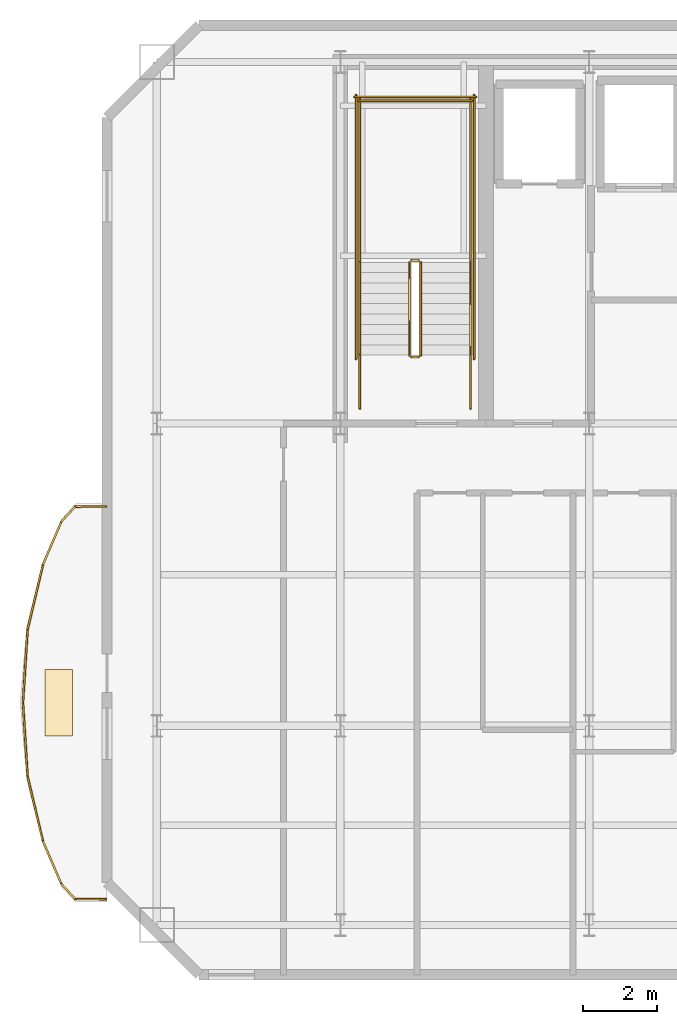
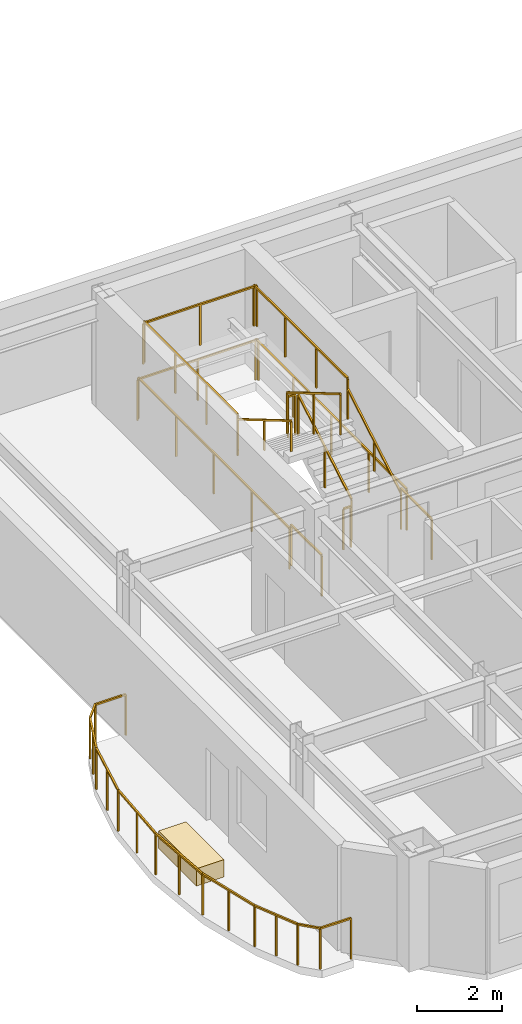
# One storey, part 5 of 6: 24 railings, 1 covering.
"""IFC4 building model written with IfcOpenShell, lengths in metres."""

import ifcopenshell
import ifcopenshell.guid

model = None  # the IFC model being written
_history = None  # IfcOwnerHistory: only IFC2X3 demands one
_inside = {}  # id of a spatial element -> (the spatial element, [elements in it])
_under = {}  # id of a project, library or spatial element -> (it, [spatial elements below it])
_declared = {}  # id of a project -> (the project, [libraries it declares])
_typed = {}  # id of a type object -> (the type object, [elements of that type])
_made_of = {}  # id of a material, layer set ... -> (it, [elements and type objects made of it])


def new_model(schema):
    """Start an empty IFC model of exactly this schema.

    Asked for "IFC4X3", IfcOpenShell would pick the latest addendum, in which some entities
    have other attributes; the version numbers below select the first issue.
    IFC2X3 requires an IfcOwnerHistory on every rooted entity: one is made here for all.
    """
    global model, _history
    if schema == "IFC4X3":
        model = ifcopenshell.file(schema_version=(4, 3, 0, 0))
    else:
        model = ifcopenshell.file(schema=schema)
    _inside.clear()
    _under.clear()
    _declared.clear()
    _typed.clear()
    _made_of.clear()
    _history = None
    if model.schema == "IFC2X3":
        org = make("IfcOrganization", Name="unknown")
        user = make(
            "IfcPersonAndOrganization",
            ThePerson=make("IfcPerson", FamilyName="unknown"),
            TheOrganization=org,
        )
        app = make(
            "IfcApplication",
            ApplicationDeveloper=org,
            Version="unknown",
            ApplicationFullName="unknown",
            ApplicationIdentifier="unknown",
        )
        _history = make(
            "IfcOwnerHistory",
            OwningUser=user,
            OwningApplication=app,
            ChangeAction="ADDED",
            CreationDate=0,
        )
    return model


def make(cls, **values):
    """One entity of the class cls with the attributes given. An attribute that is None is left unset."""
    return model.create_entity(
        cls, **{name: value for name, value in values.items() if value is not None}
    )


def rooted(cls, **values):
    """An entity with a GlobalId (a new one), such as an element, a storey or a relation."""
    return make(cls, GlobalId=ifcopenshell.guid.new(), OwnerHistory=_history, **values)


def si_unit(unit_type, name, prefix=None):
    """IfcSIUnit, for example si_unit("LENGTHUNIT", "METRE", prefix="MILLI")."""
    return make("IfcSIUnit", UnitType=unit_type, Prefix=prefix, Name=name)


def assignment(units):
    """IfcUnitAssignment: the units of a project."""
    return None if units is None else make("IfcUnitAssignment", Units=units)


def point(xyz):
    """IfcCartesianPoint."""
    return None if xyz is None else make("IfcCartesianPoint", Coordinates=xyz)


def direction(xyz):
    """IfcDirection."""
    return None if xyz is None else make("IfcDirection", DirectionRatios=xyz)


def frame(location, z_axis=None, x_axis=None):
    """IfcAxis2Placement3D, a coordinate frame: its origin and axes. An axis left out is left unset."""
    return make(
        "IfcAxis2Placement3D",
        Location=point(location),
        Axis=direction(z_axis),
        RefDirection=direction(x_axis),
    )


def frame_2d(location, x_axis=None):
    """IfcAxis2Placement2D, a coordinate frame in the plane: its origin and x axis."""
    return make(
        "IfcAxis2Placement2D", Location=point(location), RefDirection=direction(x_axis)
    )


def origin():
    """The frame at (0, 0, 0) with its axes left unset."""
    return frame((0.0, 0.0, 0.0))


def origin_2d():
    """The frame at (0, 0) in the plane with its x axis left unset."""
    return frame_2d((0.0, 0.0))


def place(relative_to, where):
    """IfcLocalPlacement: puts the frame where relative to a parent placement (None: the world)."""
    return make(
        "IfcLocalPlacement", PlacementRelTo=relative_to, RelativePlacement=where
    )


def context(
    kind, dimensions, precision=None, world=None, true_north=None, identifier=None
):
    """IfcGeometricRepresentationContext, for example the 3D "Model" context."""
    return make(
        "IfcGeometricRepresentationContext",
        ContextIdentifier=identifier,
        ContextType=kind,
        CoordinateSpaceDimension=dimensions,
        Precision=precision,
        WorldCoordinateSystem=world,
        TrueNorth=true_north,
    )


def subcontext(parent, identifier, kind, view, scale=None):
    """IfcGeometricRepresentationSubContext, for example "Body" below "Model"."""
    return make(
        "IfcGeometricRepresentationSubContext",
        ContextIdentifier=identifier,
        ContextType=kind,
        ParentContext=parent,
        TargetScale=scale,
        TargetView=view,
    )


def project(units=None, contexts=None):
    """IfcProject with its units and contexts."""
    return rooted(
        "IfcProject",
        Name="project",
        RepresentationContexts=contexts,
        UnitsInContext=assignment(units),
    )


def spatial(cls, under=None, at=None, **own):
    """A site, building, storey or space (cls), placed at a placement, below another one or the project."""
    s = rooted(cls, ObjectPlacement=at, **own)
    if under is not None:
        _under.setdefault(under.id(), (under, []))[1].append(s)
    return s


def profile(cls, at=None, kind="AREA", **sizes):
    """A parametric profile (cls). Its sizes go by their IFC names, for example OverallWidth=200.0."""
    return make(cls, ProfileType=kind, Position=at, **sizes)


def rectangle(**sizes):
    """IfcRectangleProfileDef."""
    return profile("IfcRectangleProfileDef", **sizes)


def extrude(swept, where, along, depth):
    """IfcExtrudedAreaSolid: the profile swept, set in the frame where, extruded along a direction by depth."""
    return make(
        "IfcExtrudedAreaSolid",
        SweptArea=swept,
        Position=where,
        ExtrudedDirection=direction(along),
        Depth=depth,
    )


def shape(context_of_items, identifier, shape_type, items):
    """IfcShapeRepresentation: the items that make up one representation, for example the "Body"."""
    return make(
        "IfcShapeRepresentation",
        ContextOfItems=context_of_items,
        RepresentationIdentifier=identifier,
        RepresentationType=shape_type,
        Items=items,
    )


def material(Name=None, Category=None):
    """IfcMaterial."""
    return make("IfcMaterial", Name=Name, Category=Category)


def layer(
    of_material, thickness, ventilated=None, Name=None, Category=None, Priority=None
):
    """IfcMaterialLayer: one layer of a wall or slab, of a material (None: an air gap)."""
    return make(
        "IfcMaterialLayer",
        Material=of_material,
        LayerThickness=thickness,
        IsVentilated=ventilated,
        Name=Name,
        Category=Category,
        Priority=Priority,
    )


def layer_set(layers, Name=None):
    """IfcMaterialLayerSet."""
    return make("IfcMaterialLayerSet", MaterialLayers=layers, LayerSetName=Name)


def made_of(thing, what):
    """Note that an element or type object is made of a material, layer set ...; save() writes the relation."""
    if what is not None:
        _made_of.setdefault(what.id(), (what, []))[1].append(thing)
    return thing


def type_object(cls, material=None, **own):
    """A type object (cls), such as IfcWallType, which elements share."""
    return made_of(rooted(cls, **own), material)


def element(
    cls,
    number,
    at=None,
    inside=None,
    cuts=None,
    type_object=None,
    material=None,
    context=None,
    identifier="Body",
    shape_type=None,
    held_by="IfcProductDefinitionShape",
    body=None,
    shapes=None,
    **own,
):
    """One element of the class cls, such as IfcWall. Its Tag is "e" and its number.

    at: its placement. inside: the storey or other place that contains it. cuts: it is an
    opening in that element (IfcRelVoidsElement). A single representation is given by context,
    identifier, shape_type and body (its items); several are given by shapes. held_by: the class
    of the entity that holds the representations. save() writes the other relations.
    """
    e = rooted(cls, Tag="e%d" % number, ObjectPlacement=at, **own)
    if body is not None:
        shapes = [shape(context, identifier, shape_type, body)]
    if shapes is not None:
        e.Representation = make(held_by, Representations=shapes)
    if inside is not None:
        _inside.setdefault(inside.id(), (inside, []))[1].append(e)
    if cuts is not None:
        rooted(
            "IfcRelVoidsElement", RelatingBuildingElement=cuts, RelatedOpeningElement=e
        )
    if type_object is not None:
        _typed.setdefault(type_object.id(), (type_object, []))[1].append(e)
    return made_of(e, material)


def aggregate(whole, parts):
    """IfcRelAggregates: a whole, such as a stair, and the parts it consists of."""
    return rooted("IfcRelAggregates", RelatingObject=whole, RelatedObjects=parts)


def save(model, path):
    """Write the relations noted so far, then the file.

    IfcRelAggregates (storeys below a building ...), IfcRelContainedInSpatialStructure (elements
    in a storey), IfcRelDefinesByType, IfcRelAssociatesMaterial and IfcRelDeclares: one each for
    every whole, place, type object, material and project.
    """
    for whole, parts in _under.values():
        aggregate(whole, parts)
    for where, things in _inside.values():
        rooted(
            "IfcRelContainedInSpatialStructure",
            RelatedElements=things,
            RelatingStructure=where,
        )
    for kind, things in _typed.values():
        rooted("IfcRelDefinesByType", RelatedObjects=things, RelatingType=kind)
    for what, things in _made_of.values():
        rooted("IfcRelAssociatesMaterial", RelatedObjects=things, RelatingMaterial=what)
    for by, libraries in _declared.values():
        rooted("IfcRelDeclares", RelatingContext=by, RelatedDefinitions=libraries)
    model.write(path)


model = new_model("IFC4")

# Units and contexts
model_context = context("Model", 3, precision=1e-05, world=origin(), true_north=direction((0.0, 1.0)))
body_context = subcontext(model_context, "Body", "Model", "MODEL_VIEW")
ifc_project = project(units=[si_unit("LENGTHUNIT", "METRE"), si_unit("AREAUNIT", "SQUARE_METRE"), si_unit("VOLUMEUNIT", "CUBIC_METRE"), si_unit("PLANEANGLEUNIT", "RADIAN"), si_unit("MASSUNIT", "GRAM", prefix="KILO")], contexts=[model_context])

# Site, building, storey
site_placement = place(None, origin())
site = spatial("IfcSite", under=ifc_project, at=site_placement, CompositionType="ELEMENT")
building_placement = place(site_placement, origin())
building = spatial("IfcBuilding", under=site, at=building_placement, Name="Haevon Station Towers", CompositionType="ELEMENT")
storey_placement = place(building_placement, frame((0.0, 0.0, 252.60009765625)))
storey = spatial("IfcBuildingStorey", under=building, at=storey_placement, Name="L70", CompositionType="ELEMENT", Elevation=252.60009765625)

# Railings
ifc_material_1 = material(Name="Steel S355", Category="steel")
railing_type_1 = type_object("IfcRailingType", Name="GRD-EXT1200", PredefinedType="GUARDRAIL", material=ifc_material_1)
railing_1_placement = place(storey_placement, frame((17.651123046875, 35.947265625, 0.0)))
element("IfcRailing", 1, at=railing_1_placement, inside=storey, type_object=railing_type_1, Name="L70 Perimeter Guardrail 1", PredefinedType="GUARDRAIL", context=body_context, shape_type="SweptSolid", body=[
    extrude(rectangle(XDim=0.048095703125, YDim=0.048095703125, at=origin_2d()), frame((0.0, 0.0, 1.17578125), z_axis=(-0.999997283225, -0.002330995998, 0.0), x_axis=(0.002330995998, -0.999997283225, 0.0)), (0.0, 0.0, 1.0), 0.837890625),
    extrude(rectangle(XDim=0.0419921875, YDim=0.0419921875, at=origin_2d()), origin(), (0.0, 0.0, 1.0), 1.15185546875),
    extrude(rectangle(XDim=0.0419921875, YDim=0.0419921875, at=origin_2d()), frame((-0.837890625, -0.001953125, 0.0)), (0.0, 0.0, 1.0), 1.15185546875),
])
railing_2_placement = place(storey_placement, frame((16.813232421875, 35.9453125, 0.0)))
element("IfcRailing", 2, at=railing_2_placement, inside=storey, type_object=railing_type_1, Name="L70 Perimeter Guardrail 2", PredefinedType="GUARDRAIL", context=body_context, shape_type="SweptSolid", body=[
    extrude(rectangle(XDim=0.048095703125, YDim=0.048095703125, at=origin_2d()), frame((0.0, 0.0, 1.17578125), z_axis=(-0.676061194254, -0.736845480154, 0.0), x_axis=(0.736845480154, -0.676061194254, 0.0)), (0.0, 0.0, 1.0), 0.558349609375),
    extrude(rectangle(XDim=0.0419921875, YDim=0.0419921875, at=origin_2d()), origin(), (0.0, 0.0, 1.0), 1.15185546875),
    extrude(rectangle(XDim=0.0419921875, YDim=0.0419921875, at=origin_2d()), frame((-0.37744140625, -0.411376953125, 0.0)), (0.0, 0.0, 1.0), 1.15185546875),
])
railing_3_placement = place(storey_placement, frame((16.435791015625, 35.533935546875, 0.0)))
element("IfcRailing", 3, at=railing_3_placement, inside=storey, type_object=railing_type_1, Name="L70 Perimeter Guardrail 3", PredefinedType="GUARDRAIL", context=body_context, shape_type="SweptSolid", body=[
    extrude(rectangle(XDim=0.048095703125, YDim=0.048095703125, at=origin_2d()), frame((0.0, 0.0, 1.17578125), z_axis=(-0.39299272826, -0.919541579014, 0.0), x_axis=(0.919541579014, -0.39299272826, 0.0)), (0.0, 0.0, 1.0), 1.272216796875),
    extrude(rectangle(XDim=0.0419921875, YDim=0.0419921875, at=origin_2d()), origin(), (0.0, 0.0, 1.0), 1.15185546875),
    extrude(rectangle(XDim=0.0419921875, YDim=0.0419921875, at=origin_2d()), frame((-0.25, -0.5849609375, 0.0)), (0.0, 0.0, 1.0), 1.15185546875),
    extrude(rectangle(XDim=0.0419921875, YDim=0.0419921875, at=origin_2d()), frame((-0.5, -1.169921875, 0.0)), (0.0, 0.0, 1.0), 1.15185546875),
])
railing_4_placement = place(storey_placement, frame((15.935791015625, 34.364013671875, 0.0)))
element("IfcRailing", 4, at=railing_4_placement, inside=storey, type_object=railing_type_1, Name="L70 Perimeter Guardrail 4", PredefinedType="GUARDRAIL", context=body_context, shape_type="SweptSolid", body=[
    extrude(rectangle(XDim=0.048095703125, YDim=0.048095703125, at=origin_2d()), frame((0.0, 0.0, 1.17578125), z_axis=(-0.230320614681, -0.973114800244, 0.0), x_axis=(0.973114800244, -0.230320614681, 0.0)), (0.0, 0.0, 1.0), 1.794677734375),
    extrude(rectangle(XDim=0.0419921875, YDim=0.0419921875, at=origin_2d()), origin(), (0.0, 0.0, 1.0), 1.15185546875),
    extrude(rectangle(XDim=0.0419921875, YDim=0.0419921875, at=origin_2d()), frame((-0.20654296875, -0.873046875, 0.0)), (0.0, 0.0, 1.0), 1.15185546875),
    extrude(rectangle(XDim=0.0419921875, YDim=0.0419921875, at=origin_2d()), frame((-0.413330078125, -1.746337890625, 0.0)), (0.0, 0.0, 1.0), 1.15185546875),
])
railing_5_placement = place(storey_placement, frame((15.5224609375, 32.61767578125, 0.0)))
element("IfcRailing", 5, at=railing_5_placement, inside=storey, type_object=railing_type_1, Name="L70 Perimeter Guardrail 5", PredefinedType="GUARDRAIL", context=body_context, shape_type="SweptSolid", body=[
    extrude(rectangle(XDim=0.048095703125, YDim=0.048095703125, at=origin_2d()), frame((0.0, 0.0, 1.17578125), z_axis=(-0.063215626586, -0.997999892062, 0.0), x_axis=(0.997999892062, -0.063215626586, 0.0)), (0.0, 0.0, 1.0), 1.99658203125),
    extrude(rectangle(XDim=0.0419921875, YDim=0.0419921875, at=origin_2d()), origin(), (0.0, 0.0, 1.0), 1.15185546875),
    extrude(rectangle(XDim=0.0419921875, YDim=0.0419921875, at=origin_2d()), frame((-0.06298828125, -0.996337890625, 0.0)), (0.0, 0.0, 1.0), 1.15185546875),
    extrude(rectangle(XDim=0.0419921875, YDim=0.0419921875, at=origin_2d()), frame((-0.126220703125, -1.99267578125, 0.0)), (0.0, 0.0, 1.0), 1.15185546875),
])
railing_6_placement = place(storey_placement, frame((15.396240234375, 30.625, 0.0)))
element("IfcRailing", 6, at=railing_6_placement, inside=storey, type_object=railing_type_1, Name="L70 Perimeter Guardrail 6", PredefinedType="GUARDRAIL", context=body_context, shape_type="SweptSolid", body=[
    extrude(rectangle(XDim=0.048095703125, YDim=0.048095703125, at=origin_2d()), frame((0.0, 0.0, 1.17578125), z_axis=(0.063215626586, -0.997999892062, 0.0), x_axis=(0.997999892062, 0.063215626586, 0.0)), (0.0, 0.0, 1.0), 1.99658203125),
    extrude(rectangle(XDim=0.0419921875, YDim=0.0419921875, at=origin_2d()), origin(), (0.0, 0.0, 1.0), 1.15185546875),
    extrude(rectangle(XDim=0.0419921875, YDim=0.0419921875, at=origin_2d()), frame((0.06298828125, -0.996337890625, 0.0)), (0.0, 0.0, 1.0), 1.15185546875),
    extrude(rectangle(XDim=0.0419921875, YDim=0.0419921875, at=origin_2d()), frame((0.126220703125, -1.99267578125, 0.0)), (0.0, 0.0, 1.0), 1.15185546875),
])
railing_7_placement = place(storey_placement, frame((15.5224609375, 28.63232421875, 0.0)))
element("IfcRailing", 7, at=railing_7_placement, inside=storey, type_object=railing_type_1, Name="L70 Perimeter Guardrail 7", PredefinedType="GUARDRAIL", context=body_context, shape_type="SweptSolid", body=[
    extrude(rectangle(XDim=0.048095703125, YDim=0.048095703125, at=origin_2d()), frame((0.0, 0.0, 1.17578125), z_axis=(0.230320614681, -0.973114800244, 0.0), x_axis=(0.973114800244, 0.230320614681, 0.0)), (0.0, 0.0, 1.0), 1.794677734375),
    extrude(rectangle(XDim=0.0419921875, YDim=0.0419921875, at=origin_2d()), origin(), (0.0, 0.0, 1.0), 1.15185546875),
    extrude(rectangle(XDim=0.0419921875, YDim=0.0419921875, at=origin_2d()), frame((0.20654296875, -0.873046875, 0.0)), (0.0, 0.0, 1.0), 1.15185546875),
    extrude(rectangle(XDim=0.0419921875, YDim=0.0419921875, at=origin_2d()), frame((0.413330078125, -1.746337890625, 0.0)), (0.0, 0.0, 1.0), 1.15185546875),
])
railing_8_placement = place(storey_placement, frame((15.935791015625, 26.885986328125, 0.0)))
element("IfcRailing", 8, at=railing_8_placement, inside=storey, type_object=railing_type_1, Name="L70 Perimeter Guardrail 8", PredefinedType="GUARDRAIL", context=body_context, shape_type="SweptSolid", body=[
    extrude(rectangle(XDim=0.048095703125, YDim=0.048095703125, at=origin_2d()), frame((0.0, 0.0, 1.17578125), z_axis=(0.39299272826, -0.919541579014, 0.0), x_axis=(0.919541579014, 0.39299272826, 0.0)), (0.0, 0.0, 1.0), 1.272216796875),
    extrude(rectangle(XDim=0.0419921875, YDim=0.0419921875, at=origin_2d()), origin(), (0.0, 0.0, 1.0), 1.15185546875),
    extrude(rectangle(XDim=0.0419921875, YDim=0.0419921875, at=origin_2d()), frame((0.25, -0.5849609375, 0.0)), (0.0, 0.0, 1.0), 1.15185546875),
    extrude(rectangle(XDim=0.0419921875, YDim=0.0419921875, at=origin_2d()), frame((0.5, -1.169921875, 0.0)), (0.0, 0.0, 1.0), 1.15185546875),
])
railing_9_placement = place(storey_placement, frame((16.435791015625, 25.716064453125, 0.0)))
element("IfcRailing", 9, at=railing_9_placement, inside=storey, type_object=railing_type_1, Name="L70 Perimeter Guardrail 9", PredefinedType="GUARDRAIL", context=body_context, shape_type="SweptSolid", body=[
    extrude(rectangle(XDim=0.048095703125, YDim=0.048095703125, at=origin_2d()), frame((0.0, 0.0, 1.17578125), z_axis=(0.676061194254, -0.736845480154, 0.0), x_axis=(0.736845480154, 0.676061194254, 0.0)), (0.0, 0.0, 1.0), 0.558349609375),
    extrude(rectangle(XDim=0.0419921875, YDim=0.0419921875, at=origin_2d()), origin(), (0.0, 0.0, 1.0), 1.15185546875),
    extrude(rectangle(XDim=0.0419921875, YDim=0.0419921875, at=origin_2d()), frame((0.37744140625, -0.411376953125, 0.0)), (0.0, 0.0, 1.0), 1.15185546875),
])
railing_10_placement = place(storey_placement, frame((16.813232421875, 25.3046875, 0.0)))
element("IfcRailing", 10, at=railing_10_placement, inside=storey, type_object=railing_type_1, Name="L70 Perimeter Guardrail 10", PredefinedType="GUARDRAIL", context=body_context, shape_type="SweptSolid", body=[
    extrude(rectangle(XDim=0.048095703125, YDim=0.048095703125, at=origin_2d()), frame((0.0, 0.0, 1.17578125), z_axis=(0.999997283225, -0.002330995998, 0.0), x_axis=(0.002330995998, 0.999997283225, 0.0)), (0.0, 0.0, 1.0), 0.837890625),
    extrude(rectangle(XDim=0.0419921875, YDim=0.0419921875, at=origin_2d()), origin(), (0.0, 0.0, 1.0), 1.15185546875),
    extrude(rectangle(XDim=0.0419921875, YDim=0.0419921875, at=origin_2d()), frame((0.837890625, -0.001953125, 0.0)), (0.0, 0.0, 1.0), 1.15185546875),
])
railing_type_2 = type_object("IfcRailingType", Name="GRD-STR1200", PredefinedType="GUARDRAIL", material=ifc_material_1)
railing_11_placement = place(storey_placement, frame((26.179931640625, 40.050048828125, 0.164794921875)))
element("IfcRailing", 11, at=railing_11_placement, inside=storey, type_object=railing_type_2, Name="L70 ST1 Stair Guard 1", PredefinedType="GUARDRAIL", context=body_context, shape_type="SweptSolid", body=[
    extrude(rectangle(XDim=0.048095703125, YDim=0.048095703125, at=origin_2d()), frame((0.0, 0.0, 1.17578125), z_axis=(0.0, 0.86152411907, 0.507716645641), x_axis=(-1.0, 0.0, 0.0)), (0.0, 0.0, 1.0), 2.925048828125),
    extrude(rectangle(XDim=0.0419921875, YDim=0.0419921875, at=origin_2d()), origin(), (0.0, 0.0, 1.0), 1.15185546875),
    extrude(rectangle(XDim=0.0419921875, YDim=0.0419921875, at=origin_2d()), frame((0.0, 1.260009765625, 0.74267578125)), (0.0, 0.0, 1.0), 1.15185546875),
    extrude(rectangle(XDim=0.0419921875, YDim=0.0419921875, at=origin_2d()), frame((0.0, 2.52001953125, 1.485107421875)), (0.0, 0.0, 1.0), 1.15185546875),
])
railing_12_placement = place(storey_placement, frame((26.1298828125, 42.6201171875, 1.64990234375)))
element("IfcRailing", 12, at=railing_12_placement, inside=storey, type_object=railing_type_2, Name="L70 ST1 Stair Guard 2", PredefinedType="GUARDRAIL", context=body_context, shape_type="SweptSolid", body=[
    extrude(rectangle(XDim=0.048095703125, YDim=0.048095703125, at=origin_2d()), frame((0.0, 0.0, 1.17578125), z_axis=(-1.0, 0.0, 0.0), x_axis=(0.0, -1.0, 0.0)), (0.0, 0.0, 1.0), 0.199951171875),
    extrude(rectangle(XDim=0.0419921875, YDim=0.0419921875, at=origin_2d()), origin(), (0.0, 0.0, 1.0), 1.15185546875),
    extrude(rectangle(XDim=0.0419921875, YDim=0.0419921875, at=origin_2d()), frame((-0.199951171875, 0.0, 0.0)), (0.0, 0.0, 1.0), 1.15185546875),
])
for number, where, name in (
    (13, (27.530029296875, 42.570068359375, 1.64990234375), "L70 ST1 Stair Guard 3"),
    (14, (24.530029296875, 42.570068359375, 1.64990234375), "L70 ST1 Stair Guard 4"),
):
    element("IfcRailing", number, at=place(storey_placement, frame(where)), inside=storey, type_object=railing_type_2, Name=name, PredefinedType="GUARDRAIL", context=body_context, shape_type="SweptSolid", body=[
        extrude(rectangle(XDim=0.048095703125, YDim=0.048095703125, at=origin_2d()), frame((0.0, 0.0, 1.17578125), z_axis=(0.0, 1.0, 0.0), x_axis=(-1.0, 0.0, 0.0)), (0.0, 0.0, 1.0), 4.429931640625),
        extrude(rectangle(XDim=0.0419921875, YDim=0.0419921875, at=origin_2d()), origin(), (0.0, 0.0, 1.0), 1.15185546875),
        extrude(rectangle(XDim=0.0419921875, YDim=0.0419921875, at=origin_2d()), frame((0.0, 1.4765625, 0.0)), (0.0, 0.0, 1.0), 1.15185546875),
        extrude(rectangle(XDim=0.0419921875, YDim=0.0419921875, at=origin_2d()), frame((0.0, 2.953369140625, 0.0)), (0.0, 0.0, 1.0), 1.15185546875),
        extrude(rectangle(XDim=0.0419921875, YDim=0.0419921875, at=origin_2d()), frame((0.0, 4.429931640625, 0.0)), (0.0, 0.0, 1.0), 1.15185546875),
    ])
railing_13_placement = place(storey_placement, frame((27.580078125, 46.949951171875, 1.64990234375)))
element("IfcRailing", 15, at=railing_13_placement, inside=storey, type_object=railing_type_2, Name="L70 ST1 Stair Guard 5", PredefinedType="GUARDRAIL", context=body_context, shape_type="SweptSolid", body=[
    extrude(rectangle(XDim=0.048095703125, YDim=0.048095703125, at=origin_2d()), frame((0.0, 0.0, 1.17578125), z_axis=(-1.0, 0.0, 0.0), x_axis=(0.0, -1.0, 0.0)), (0.0, 0.0, 1.0), 3.10009765625),
    extrude(rectangle(XDim=0.0419921875, YDim=0.0419921875, at=origin_2d()), origin(), (0.0, 0.0, 1.0), 1.15185546875),
    extrude(rectangle(XDim=0.0419921875, YDim=0.0419921875, at=origin_2d()), frame((-1.550048828125, 0.0, 0.0)), (0.0, 0.0, 1.0), 1.15185546875),
    extrude(rectangle(XDim=0.0419921875, YDim=0.0419921875, at=origin_2d()), frame((-3.10009765625, 0.0, 0.0)), (0.0, 0.0, 1.0), 1.15185546875),
])
railing_14_placement = place(storey_placement, frame((25.8798828125, 42.570068359375, 1.81494140625)))
element("IfcRailing", 16, at=railing_14_placement, inside=storey, type_object=railing_type_2, Name="L70 ST1 Stair Guard 6", PredefinedType="GUARDRAIL", context=body_context, shape_type="SweptSolid", body=[
    extrude(rectangle(XDim=0.048095703125, YDim=0.048095703125, at=origin_2d()), frame((0.0, 0.0, 1.17578125), z_axis=(0.0, -0.861560626758, 0.507654692109), x_axis=(1.0, 0.0, 0.0)), (0.0, 0.0, 1.0), 2.925048828125),
    extrude(rectangle(XDim=0.0419921875, YDim=0.0419921875, at=origin_2d()), origin(), (0.0, 0.0, 1.0), 1.15185546875),
    extrude(rectangle(XDim=0.0419921875, YDim=0.0419921875, at=origin_2d()), frame((0.0, -1.260009765625, 0.742431640625)), (0.0, 0.0, 1.0), 1.15185546875),
    extrude(rectangle(XDim=0.0419921875, YDim=0.0419921875, at=origin_2d()), frame((0.0, -2.52001953125, 1.48486328125)), (0.0, 0.0, 1.0), 1.15185546875),
])
railing_15_placement = place(storey_placement, frame((26.1298828125, 40.0, 0.0)))
element("IfcRailing", 17, at=railing_15_placement, inside=storey, type_object=railing_type_2, Name="L70 ST1 Stair Guard 7", PredefinedType="GUARDRAIL", context=body_context, shape_type="SweptSolid", body=[
    extrude(rectangle(XDim=0.048095703125, YDim=0.048095703125, at=origin_2d()), frame((0.0, 0.0, 1.17578125), z_axis=(-1.0, 0.0, 0.0), x_axis=(0.0, -1.0, 0.0)), (0.0, 0.0, 1.0), 0.199951171875),
    extrude(rectangle(XDim=0.0419921875, YDim=0.0419921875, at=origin_2d()), origin(), (0.0, 0.0, 1.0), 1.15185546875),
    extrude(rectangle(XDim=0.0419921875, YDim=0.0419921875, at=origin_2d()), frame((-0.199951171875, 0.0, 0.0)), (0.0, 0.0, 1.0), 1.15185546875),
])
for number, where, name in (
    (18, (27.530029296875, 38.60009765625, 0.0), "L70 ST1 Stair Guard 8"),
    (19, (24.530029296875, 38.60009765625, 0.0), "L70 ST1 Stair Guard 9"),
):
    element("IfcRailing", number, at=place(storey_placement, frame(where)), inside=storey, type_object=railing_type_2, Name=name, PredefinedType="GUARDRAIL", context=body_context, shape_type="SweptSolid", body=[
        extrude(rectangle(XDim=0.048095703125, YDim=0.048095703125, at=origin_2d()), frame((0.0, 0.0, 1.17578125), z_axis=(0.0, 1.0, 0.0), x_axis=(-1.0, 0.0, 0.0)), (0.0, 0.0, 1.0), 1.449951171875),
        extrude(rectangle(XDim=0.0419921875, YDim=0.0419921875, at=origin_2d()), origin(), (0.0, 0.0, 1.0), 1.15185546875),
        extrude(rectangle(XDim=0.0419921875, YDim=0.0419921875, at=origin_2d()), frame((0.0, 1.449951171875, 0.0)), (0.0, 0.0, 1.0), 1.15185546875),
    ])
for number, where, name in (
    (20, (27.6298828125, 39.949951171875, 0.0), "L70 ST1 Stair Guard 10"),
    (21, (24.429931640625, 39.949951171875, 0.0), "L70 ST1 Stair Guard 11"),
):
    element("IfcRailing", number, at=place(storey_placement, frame(where)), inside=storey, type_object=railing_type_2, Name=name, PredefinedType="GUARDRAIL", context=body_context, shape_type="SweptSolid", body=[
        extrude(rectangle(XDim=0.048095703125, YDim=0.048095703125, at=origin_2d()), frame((0.0, 0.0, 1.17578125), z_axis=(0.0, 1.0, 0.0), x_axis=(-1.0, 0.0, 0.0)), (0.0, 0.0, 1.0), 7.150146484375),
        extrude(rectangle(XDim=0.0419921875, YDim=0.0419921875, at=origin_2d()), origin(), (0.0, 0.0, 1.0), 1.15185546875),
        extrude(rectangle(XDim=0.0419921875, YDim=0.0419921875, at=origin_2d()), frame((0.0, 1.78759765625, 0.0)), (0.0, 0.0, 1.0), 1.15185546875),
        extrude(rectangle(XDim=0.0419921875, YDim=0.0419921875, at=origin_2d()), frame((0.0, 3.5751953125, 0.0)), (0.0, 0.0, 1.0), 1.15185546875),
        extrude(rectangle(XDim=0.0419921875, YDim=0.0419921875, at=origin_2d()), frame((0.0, 5.362548828125, 0.0)), (0.0, 0.0, 1.0), 1.15185546875),
        extrude(rectangle(XDim=0.0419921875, YDim=0.0419921875, at=origin_2d()), frame((0.0, 7.150146484375, 0.0)), (0.0, 0.0, 1.0), 1.15185546875),
    ])
railing_16_placement = place(storey_placement, frame((27.679931640625, 47.050048828125, 0.0)))
element("IfcRailing", 22, at=railing_16_placement, inside=storey, type_object=railing_type_2, Name="L70 ST1 Stair Guard 12", PredefinedType="GUARDRAIL", context=body_context, shape_type="SweptSolid", body=[
    extrude(rectangle(XDim=0.048095703125, YDim=0.048095703125, at=origin_2d()), frame((0.0, 0.0, 1.17578125), z_axis=(-1.0, 0.0, 0.0), x_axis=(0.0, -1.0, 0.0)), (0.0, 0.0, 1.0), 3.300048828125),
    extrude(rectangle(XDim=0.0419921875, YDim=0.0419921875, at=origin_2d()), origin(), (0.0, 0.0, 1.0), 1.15185546875),
    extrude(rectangle(XDim=0.0419921875, YDim=0.0419921875, at=origin_2d()), frame((-1.64990234375, 0.0, 0.0)), (0.0, 0.0, 1.0), 1.15185546875),
    extrude(rectangle(XDim=0.0419921875, YDim=0.0419921875, at=origin_2d()), frame((-3.300048828125, 0.0, 0.0)), (0.0, 0.0, 1.0), 1.15185546875),
])
railing_type_3 = type_object("IfcRailingType", Name="HND-STR900", PredefinedType="HANDRAIL", material=ifc_material_1)
railing_17_placement = place(storey_placement, frame((27.530029296875, 40.050048828125, 0.164794921875)))
element("IfcRailing", 23, at=railing_17_placement, inside=storey, type_object=railing_type_3, Name="L70 ST1 Stair Handrail 1", PredefinedType="HANDRAIL", context=body_context, shape_type="SweptSolid", body=[
    extrude(rectangle(XDim=0.048095703125, YDim=0.048095703125, at=origin_2d()), frame((0.0, 0.0, 0.8759765625), z_axis=(0.0, 0.86152411907, 0.507716645641), x_axis=(-1.0, 0.0, 0.0)), (0.0, 0.0, 1.0), 2.925048828125),
    extrude(rectangle(XDim=0.0419921875, YDim=0.0419921875, at=origin_2d()), origin(), (0.0, 0.0, 1.0), 0.851806640625),
    extrude(rectangle(XDim=0.0419921875, YDim=0.0419921875, at=origin_2d()), frame((0.0, 1.260009765625, 0.74267578125)), (0.0, 0.0, 1.0), 0.851806640625),
    extrude(rectangle(XDim=0.0419921875, YDim=0.0419921875, at=origin_2d()), frame((0.0, 2.52001953125, 1.485107421875)), (0.0, 0.0, 1.0), 0.851806640625),
])
railing_18_placement = place(storey_placement, frame((24.530029296875, 42.570068359375, 1.81494140625)))
element("IfcRailing", 24, at=railing_18_placement, inside=storey, type_object=railing_type_3, Name="L70 ST1 Stair Handrail 2", PredefinedType="HANDRAIL", context=body_context, shape_type="SweptSolid", body=[
    extrude(rectangle(XDim=0.048095703125, YDim=0.048095703125, at=origin_2d()), frame((0.0, 0.0, 0.8759765625), z_axis=(0.0, -0.861560626758, 0.507654692109), x_axis=(1.0, 0.0, 0.0)), (0.0, 0.0, 1.0), 2.925048828125),
    extrude(rectangle(XDim=0.0419921875, YDim=0.0419921875, at=origin_2d()), origin(), (0.0, 0.0, 1.0), 0.851806640625),
    extrude(rectangle(XDim=0.0419921875, YDim=0.0419921875, at=origin_2d()), frame((0.0, -1.260009765625, 0.742431640625)), (0.0, 0.0, 1.0), 0.851806640625),
    extrude(rectangle(XDim=0.0419921875, YDim=0.0419921875, at=origin_2d()), frame((0.0, -2.52001953125, 1.48486328125)), (0.0, 0.0, 1.0), 0.851806640625),
])

# Covering
ifc_material_2 = material(Name="Architectural planter GRC", Category="concrete")
ifc_layer = layer(ifc_material_2, 0.550048828125)
ifc_layer_set = layer_set([ifc_layer], Name="Architectural planter GRC")
covering_type = type_object("IfcCoveringType", Name="PLN-GRC550", PredefinedType="MOLDING", material=ifc_layer_set)
covering_placement = place(storey_placement, frame((16.3642578125, 30.625, 0.0), z_axis=(0.0, 0.0, 1.0), x_axis=(1.0, 0.0, 0.0)))
element("IfcCovering", 25, at=covering_placement, inside=storey, type_object=covering_type, Name="Tower 1 L70 Scalloped Balcony PLANTER", PredefinedType="MOLDING", context=body_context, shape_type="SweptSolid", body=[
    extrude(rectangle(XDim=0.75, YDim=1.800048828125, at=origin_2d()), origin(), (0.0, 0.0, 1.0), 0.5),
])

save(model, "model.ifc")
